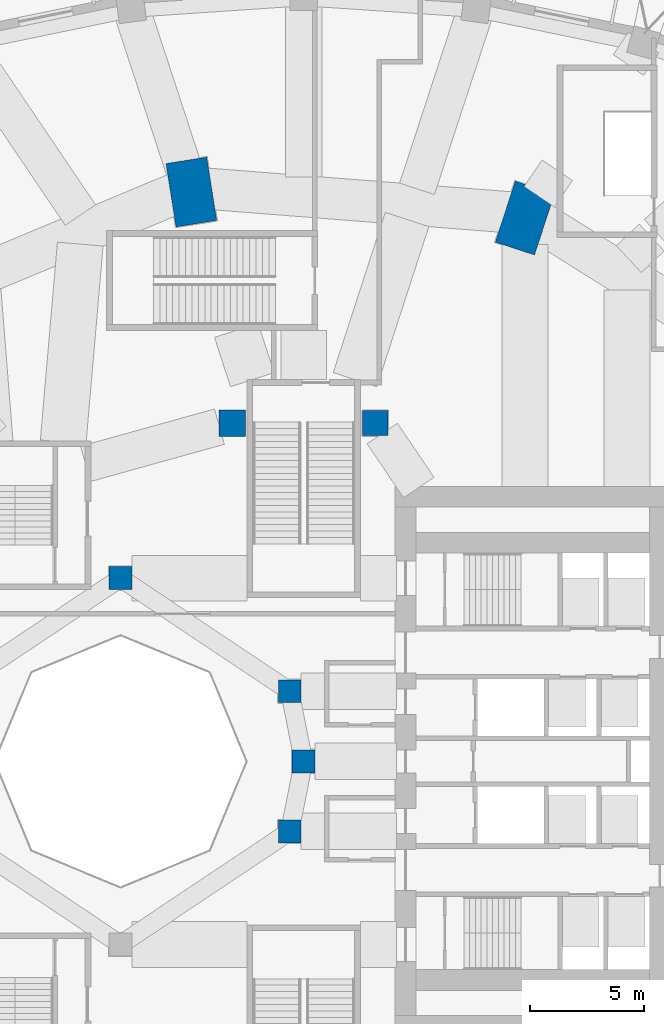
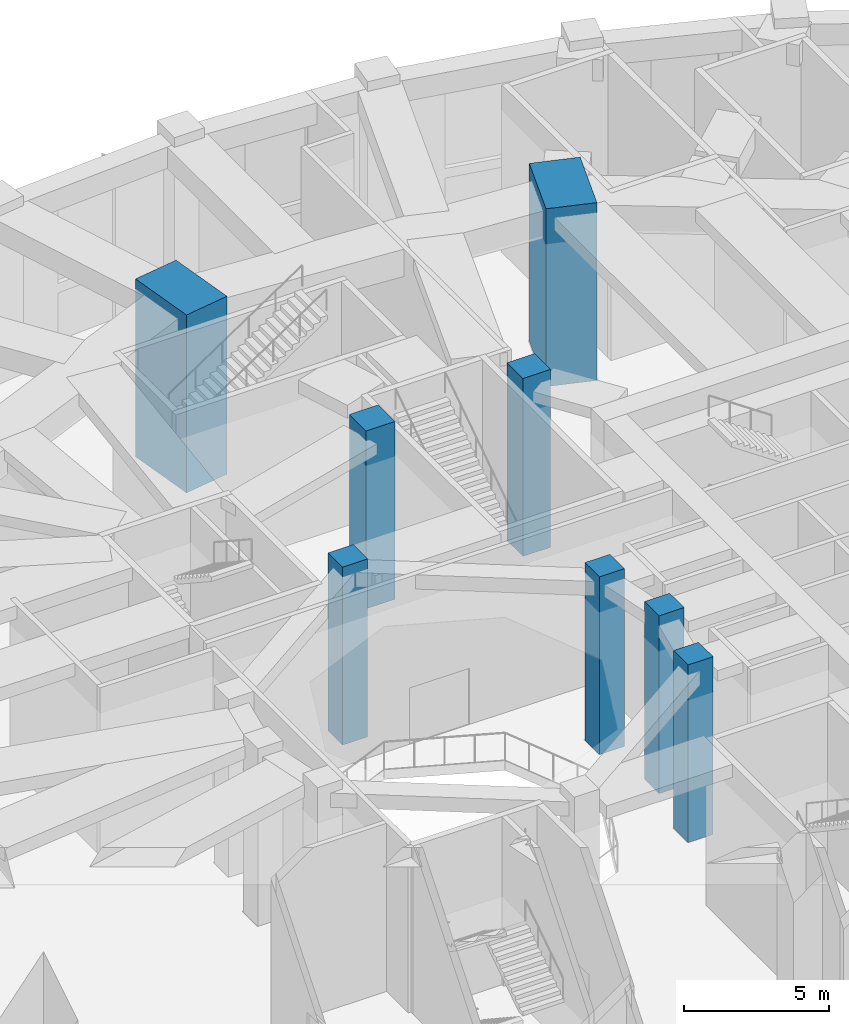
# One storey, part 10 of 60: 8 columns.
"""IFC4 building model written with IfcOpenShell, lengths in metres."""

from ifc_helpers import new_model, si_unit, direction, frame, origin, origin_with_axes, origin_2d, place, context, subcontext, project, spatial, rectangle, extrude, material, material_profile, profile_set, type_object, element, save


model = new_model("IFC4")

# Units and contexts
model_context = context("Model", 3, precision=1e-05, world=origin(), true_north=direction((0.0, 1.0)))
body_context = subcontext(model_context, "Body", "Model", "MODEL_VIEW")
ifc_project = project(units=[si_unit("LENGTHUNIT", "METRE"), si_unit("AREAUNIT", "SQUARE_METRE"), si_unit("VOLUMEUNIT", "CUBIC_METRE"), si_unit("PLANEANGLEUNIT", "RADIAN"), si_unit("MASSUNIT", "GRAM", prefix="KILO")], contexts=[model_context])

# Site, building, storey
site_placement = place(None, origin())
site = spatial("IfcSite", under=ifc_project, at=site_placement, CompositionType="ELEMENT")
building_placement = place(site_placement, origin())
building = spatial("IfcBuilding", under=site, at=building_placement, Name="Taillehof Tower", CompositionType="ELEMENT")
storey_placement = place(building_placement, origin())
storey = spatial("IfcBuildingStorey", under=building, at=storey_placement, Name="L00", CompositionType="ELEMENT", Elevation=0.0)

# Columns
ifc_material_1 = material(Name="Concrete C50/60", Category="concrete")
ifc_material_profile_1 = material_profile(ifc_material_1, rectangle(XDim=1.0, YDim=1.0, at=origin_2d()), Name="RC 1000x1000")
ifc_profile_set_1 = profile_set([ifc_material_profile_1], Name="Concrete C50/60")
column_type_1 = type_object("IfcColumnType", Name="Atrium ring column C50/60 1000x1000", PredefinedType="COLUMN", material=ifc_profile_set_1)
column_1_placement = place(storey_placement, origin_with_axes())
element("IfcColumn", 1, at=column_1_placement, inside=storey, type_object=column_type_1, Name="Column AC01", PredefinedType="COLUMN", context=body_context, shape_type="SweptSolid", body=[
    extrude(rectangle(XDim=1.0, YDim=1.0, at=origin_2d()), origin(), (0.0, 0.0, 1.0), 7.5),
])
ifc_material_2 = material(Name="Concrete C60/75", Category="concrete")
ifc_material_profile_2 = material_profile(ifc_material_2, rectangle(XDim=1.0, YDim=1.0, at=origin_2d()), Name="RC 1000x1000")
ifc_profile_set_2 = profile_set([ifc_material_profile_2], Name="Concrete C60/75")
column_type_2 = type_object("IfcColumnType", Name="Atrium ring column C60/75 1000x1000", PredefinedType="COLUMN", material=ifc_profile_set_2)
column_2_placement = place(storey_placement, frame((-8.0, 8.0, 0.0), z_axis=(0.0, 0.0, 1.0), x_axis=(1.0, 0.0, 0.0)))
element("IfcColumn", 2, at=column_2_placement, inside=storey, type_object=column_type_2, Name="Column AC05", PredefinedType="COLUMN", context=body_context, shape_type="SweptSolid", body=[
    extrude(rectangle(XDim=1.0, YDim=1.0, at=origin_2d()), origin(), (0.0, 0.0, 1.0), 7.5),
])
ifc_material_3 = material(Name="Concrete C70/85", Category="concrete")
ifc_material_profile_3 = material_profile(ifc_material_3, rectangle(XDim=1.0, YDim=1.0, at=origin_2d()), Name="RC 1000x1000")
ifc_profile_set_3 = profile_set([ifc_material_profile_3], Name="Concrete C70/85")
column_type_3 = type_object("IfcColumnType", Name="Atrium ring column C70/85 1000x1000", PredefinedType="COLUMN", material=ifc_profile_set_3)
for number, where, z_axis, x_axis, name in (
    (3, (-0.60888671875, 3.0615234375, 0.0), (0.0, 0.0, 1.0), (1.0, 0.0, 0.0), "Column AC02"),
    (4, (-0.60888671875, -3.0615234375, 0.0), (0.0, 0.0, 1.0), (1.0, 0.0, 0.0), "Column AC16"),
):
    element("IfcColumn", number, at=place(storey_placement, frame(where, z_axis=z_axis, x_axis=x_axis)), inside=storey, type_object=column_type_3, Name=name, PredefinedType="COLUMN", context=body_context, shape_type="SweptSolid", body=[
        extrude(rectangle(XDim=1.0, YDim=1.0, at=origin_2d()), origin(), (0.0, 0.0, 1.0), 7.5),
    ])
ifc_material_4 = material(Name="Concrete C80/95", Category="concrete")
ifc_material_profile_4 = material_profile(ifc_material_4, rectangle(XDim=2.800048828125, YDim=1.800048828125, at=origin_2d()), Name="RC 2800x1800")
ifc_profile_set_4 = profile_set([ifc_material_profile_4], Name="Concrete C80/95")
column_type_4 = type_object("IfcColumnType", Name="Mega column C80/95 2800x1800", PredefinedType="COLUMN", material=ifc_profile_set_4)
for number, where, z_axis, x_axis, name in (
    (5, (9.662109375, 23.727294921875, 0.0), (0.0, 0.0, 1.0), (0.310219183529, 0.950665060981, 0.0), "Mega column MG03"),
    (6, (-4.905517578125, 24.866455078125, 0.0), (0.0, 0.0, 1.0), (-0.15614709407, 0.987733812833, 0.0), "Mega column MG04"),
):
    element("IfcColumn", number, at=place(storey_placement, frame(where, z_axis=z_axis, x_axis=x_axis)), inside=storey, type_object=column_type_4, Name=name, PredefinedType="COLUMN", context=body_context, shape_type="SweptSolid", body=[
        extrude(rectangle(XDim=2.800048828125, YDim=1.800048828125, at=origin_2d()), origin(), (0.0, 0.0, 1.0), 7.5),
    ])
ifc_material_5 = material(Name="Concrete C70/85", Category="concrete")
ifc_material_profile_5 = material_profile(ifc_material_5, rectangle(XDim=1.10009765625, YDim=1.10009765625, at=origin_2d()), Name="RC 1100x1100")
ifc_profile_set_5 = profile_set([ifc_material_profile_5], Name="Concrete C70/85")
column_type_5 = type_object("IfcColumnType", Name="Mid-ring column C70/85 1100x1100", PredefinedType="COLUMN", material=ifc_profile_set_5)
column_3_placement = place(storey_placement, frame((3.125732421875, 14.772216796875, 0.0), z_axis=(0.0, 0.0, 1.0), x_axis=(1.0, 0.0, 0.0)))
element("IfcColumn", 7, at=column_3_placement, inside=storey, type_object=column_type_5, Name="Column MC05", PredefinedType="COLUMN", context=body_context, shape_type="SweptSolid", body=[
    extrude(rectangle(XDim=1.10009765625, YDim=1.10009765625, at=origin_2d()), origin(), (0.0, 0.0, 1.0), 7.5),
])
ifc_material_6 = material(Name="Concrete C80/95", Category="concrete")
ifc_material_profile_6 = material_profile(ifc_material_6, rectangle(XDim=1.14990234375, YDim=1.14990234375, at=origin_2d()), Name="RC 1150x1150")
ifc_profile_set_6 = profile_set([ifc_material_profile_6], Name="Concrete C80/95")
column_type_6 = type_object("IfcColumnType", Name="Mid-ring column C80/95 1150x1150", PredefinedType="COLUMN", material=ifc_profile_set_6)
column_4_placement = place(storey_placement, frame((-3.125732421875, 14.772216796875, 0.0), z_axis=(0.0, 0.0, 1.0), x_axis=(1.0, 0.0, 0.0)))
element("IfcColumn", 8, at=column_4_placement, inside=storey, type_object=column_type_6, Name="Column MC06", PredefinedType="COLUMN", context=body_context, shape_type="SweptSolid", body=[
    extrude(rectangle(XDim=1.14990234375, YDim=1.14990234375, at=origin_2d()), origin(), (0.0, 0.0, 1.0), 7.5),
])

save(model, "model.ifc")
